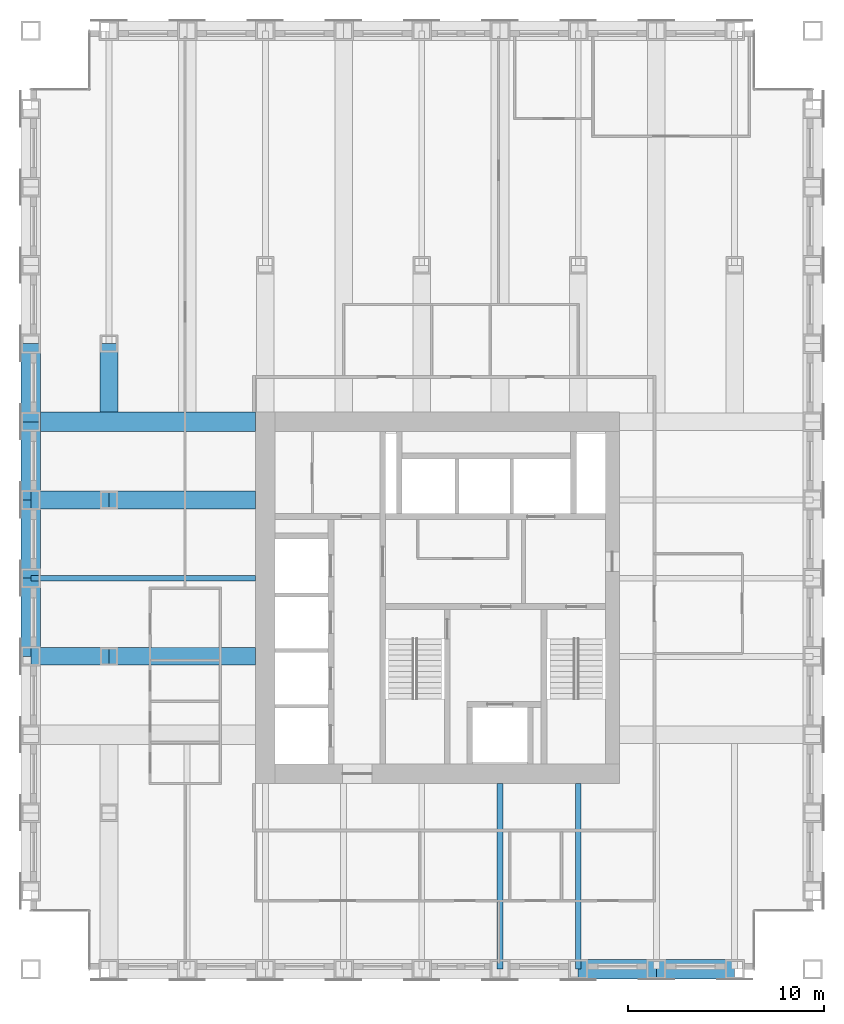
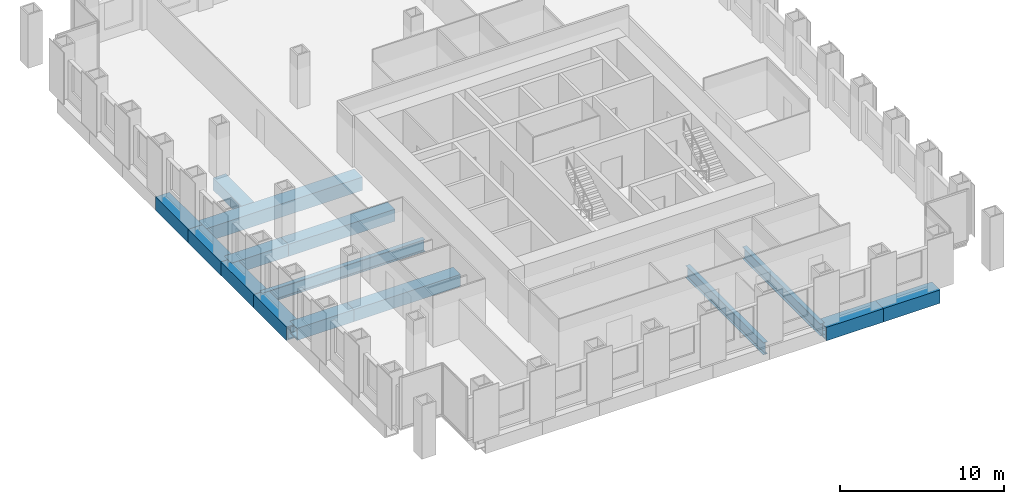
# One storey, part 3 of 13: 15 beams.
"""IFC4 building model written with IfcOpenShell, lengths in metres."""

from ifc_helpers import new_model, si_unit, direction, frame, origin, origin_2d, place, context, subcontext, project, spatial, hollow_rectangle, i_section, extrude, material, material_profile, profile_set, type_object, element, save


model = new_model("IFC4")

# Units and contexts
model_context = context("Model", 3, precision=1e-05, world=origin(), true_north=direction((0.0, 1.0)))
body_context = subcontext(model_context, "Body", "Model", "MODEL_VIEW")
ifc_project = project(units=[si_unit("LENGTHUNIT", "METRE"), si_unit("AREAUNIT", "SQUARE_METRE"), si_unit("VOLUMEUNIT", "CUBIC_METRE"), si_unit("PLANEANGLEUNIT", "RADIAN"), si_unit("MASSUNIT", "GRAM", prefix="KILO")], contexts=[model_context])

# Site, building, storey
site_placement = place(None, origin())
site = spatial("IfcSite", under=ifc_project, at=site_placement, CompositionType="ELEMENT")
building_placement = place(site_placement, origin())
building = spatial("IfcBuilding", under=site, at=building_placement, Name="Rimbunsela Tower", CompositionType="ELEMENT")
storey_placement = place(building_placement, frame((0.0, 0.0, 187.800048828125)))
storey = spatial("IfcBuildingStorey", under=building, at=storey_placement, Name="L45", CompositionType="ELEMENT", Elevation=187.800048828125)

# Beams
ifc_material_1 = material(Name="Steel BJ 55 (fy 410 MPa)", Category="steel")
ifc_material_profile_1 = material_profile(ifc_material_1, hollow_rectangle(XDim=1.0, YDim=1.0, WallThickness=0.10009765625, at=origin_2d()), Name="BOX 1000x1000x100")
ifc_profile_set_1 = profile_set([ifc_material_profile_1], Name="Steel BJ 55 (fy 410 MPa)")
beam_type_1 = type_object("IfcBeamType", Name="Beam BOX 1000x1000x100", PredefinedType="BEAM", material=ifc_profile_set_1)
for number, where, z_axis, x_axis, name in (
    (1, (6.0, 24.0, -0.650146484375), (0.0, 1.0, 0.0), (-1.0, 0.0, 0.0), "Beam B3 L45"),
    (2, (6.0, 28.0, -0.650146484375), (0.0, 1.0, 0.0), (-1.0, 0.0, 0.0), "Beam B3 L45"),
    (3, (6.0, 32.0, -0.650146484375), (0.0, 1.0, 0.0), (-1.0, 0.0, 0.0), "Beam B3 L45"),
    (4, (6.0, 36.0, -0.650146484375), (0.0, 1.0, 0.0), (-1.0, 0.0, 0.0), "Beam B3 L45"),
):
    element("IfcBeam", number, at=place(storey_placement, frame(where, z_axis=z_axis, x_axis=x_axis)), inside=storey, type_object=beam_type_1, Name=name, PredefinedType="BEAM", context=body_context, shape_type="SweptSolid", body=[
        extrude(hollow_rectangle(XDim=1.0, YDim=1.0, WallThickness=0.10009765625, at=origin_2d()), origin(), (0.0, 0.0, 1.0), 4.0),
    ])
beam_1_placement = place(storey_placement, frame((6.0, 36.0, -0.650146484375), z_axis=(1.0, 0.0, 0.0), x_axis=(0.0, 1.0, 0.0)))
element("IfcBeam", 5, at=beam_1_placement, inside=storey, type_object=beam_type_1, Name="Beam B3 L45", PredefinedType="BEAM", context=body_context, shape_type="SweptSolid", body=[
    extrude(hollow_rectangle(XDim=1.0, YDim=1.0, WallThickness=0.10009765625, at=origin_2d()), origin(), (0.0, 0.0, 1.0), 11.5),
])
for number, where, z_axis, x_axis, name in (
    (6, (34.0, 8.0, -0.650146484375), (1.0, 0.0, 0.0), (0.0, 1.0, 0.0), "Beam B3 L45"),
    (7, (38.0, 8.0, -0.650146484375), (1.0, 0.0, 0.0), (0.0, 1.0, 0.0), "Beam B3 L45"),
):
    element("IfcBeam", number, at=place(storey_placement, frame(where, z_axis=z_axis, x_axis=x_axis)), inside=storey, type_object=beam_type_1, Name=name, PredefinedType="BEAM", context=body_context, shape_type="SweptSolid", body=[
        extrude(hollow_rectangle(XDim=1.0, YDim=1.0, WallThickness=0.10009765625, at=origin_2d()), origin(), (0.0, 0.0, 1.0), 4.0),
    ])
ifc_material_2 = material(Name="Steel BJ 55 (fy 410 MPa)", Category="steel")
ifc_material_profile_2 = material_profile(ifc_material_2, hollow_rectangle(XDim=0.89990234375, YDim=0.89990234375, WallThickness=0.06005859375, at=origin_2d()), Name="BOX 900x900x60")
ifc_profile_set_2 = profile_set([ifc_material_profile_2], Name="Steel BJ 55 (fy 410 MPa)")
beam_type_2 = type_object("IfcBeamType", Name="Beam BOX 900x900x60", PredefinedType="BEAM", material=ifc_profile_set_2)
for number, where, z_axis, x_axis, name in (
    (8, (6.0, 24.0, -0.60009765625), (1.0, 0.0, 0.0), (0.0, 1.0, 0.0), "Beam B1 L45"),
    (9, (6.0, 32.0, -0.60009765625), (1.0, 0.0, 0.0), (0.0, 1.0, 0.0), "Beam B1 L45"),
):
    element("IfcBeam", number, at=place(storey_placement, frame(where, z_axis=z_axis, x_axis=x_axis)), inside=storey, type_object=beam_type_2, Name=name, PredefinedType="BEAM", context=body_context, shape_type="SweptSolid", body=[
        extrude(hollow_rectangle(XDim=0.89990234375, YDim=0.89990234375, WallThickness=0.06005859375, at=origin_2d()), origin(), (0.0, 0.0, 1.0), 4.0),
    ])
for number, where, z_axis, x_axis, name in (
    (10, (10.0, 24.0, -0.60009765625), (1.0, 0.0, 0.0), (0.0, 1.0, 0.0), "Beam B1 L45"),
    (11, (10.0, 32.0, -0.60009765625), (1.0, 0.0, 0.0), (0.0, 1.0, 0.0), "Beam B1 L45"),
):
    element("IfcBeam", number, at=place(storey_placement, frame(where, z_axis=z_axis, x_axis=x_axis)), inside=storey, type_object=beam_type_2, Name=name, PredefinedType="BEAM", context=body_context, shape_type="SweptSolid", body=[
        extrude(hollow_rectangle(XDim=0.89990234375, YDim=0.89990234375, WallThickness=0.06005859375, at=origin_2d()), origin(), (0.0, 0.0, 1.0), 7.5),
    ])
beam_2_placement = place(storey_placement, frame((10.0, 36.5, -0.60009765625), z_axis=(0.0, 1.0, 0.0), x_axis=(-1.0, 0.0, 0.0)))
element("IfcBeam", 12, at=beam_2_placement, inside=storey, type_object=beam_type_2, Name="Beam B1 L45", PredefinedType="BEAM", context=body_context, shape_type="SweptSolid", body=[
    extrude(hollow_rectangle(XDim=0.89990234375, YDim=0.89990234375, WallThickness=0.06005859375, at=origin_2d()), origin(), (0.0, 0.0, 1.0), 3.5),
])
ifc_material_3 = material(Name="Steel BJ 55 (fy 410 MPa)", Category="steel")
ifc_material_profile_3 = material_profile(ifc_material_3, i_section(OverallWidth=0.300048828125, OverallDepth=0.89990234375, WebThickness=0.01611328125, FlangeThickness=0.028076171875, FilletRadius=0.028076171875, at=origin_2d()), Name="H 900x300x16x28")
ifc_profile_set_3 = profile_set([ifc_material_profile_3], Name="Steel BJ 55 (fy 410 MPa)")
beam_type_3 = type_object("IfcBeamType", Name="Beam H 900x300x16x28", PredefinedType="BEAM", material=ifc_profile_set_3)
beam_3_placement = place(storey_placement, frame((6.0, 28.0, -0.60009765625), z_axis=(1.0, 0.0, 0.0), x_axis=(0.0, 1.0, 0.0)))
element("IfcBeam", 13, at=beam_3_placement, inside=storey, type_object=beam_type_3, Name="Beam B2 L45", PredefinedType="BEAM", context=body_context, shape_type="SweptSolid", body=[
    extrude(i_section(OverallWidth=0.300048828125, OverallDepth=0.89990234375, WebThickness=0.01611328125, FlangeThickness=0.028076171875, FilletRadius=0.028076171875, at=origin_2d()), origin(), (0.0, 0.0, 1.0), 11.5),
])
for number, where, z_axis, x_axis, name in (
    (14, (30.0, 8.0, -0.60009765625), (0.0, 1.0, 0.0), (-1.0, 0.0, 0.0), "Beam B2 L45"),
    (15, (34.0, 8.0, -0.60009765625), (0.0, 1.0, 0.0), (-1.0, 0.0, 0.0), "Beam B2 L45"),
):
    element("IfcBeam", number, at=place(storey_placement, frame(where, z_axis=z_axis, x_axis=x_axis)), inside=storey, type_object=beam_type_3, Name=name, PredefinedType="BEAM", context=body_context, shape_type="SweptSolid", body=[
        extrude(i_section(OverallWidth=0.300048828125, OverallDepth=0.89990234375, WebThickness=0.01611328125, FlangeThickness=0.028076171875, FilletRadius=0.028076171875, at=origin_2d()), origin(), (0.0, 0.0, 1.0), 9.5),
    ])

save(model, "model.ifc")
